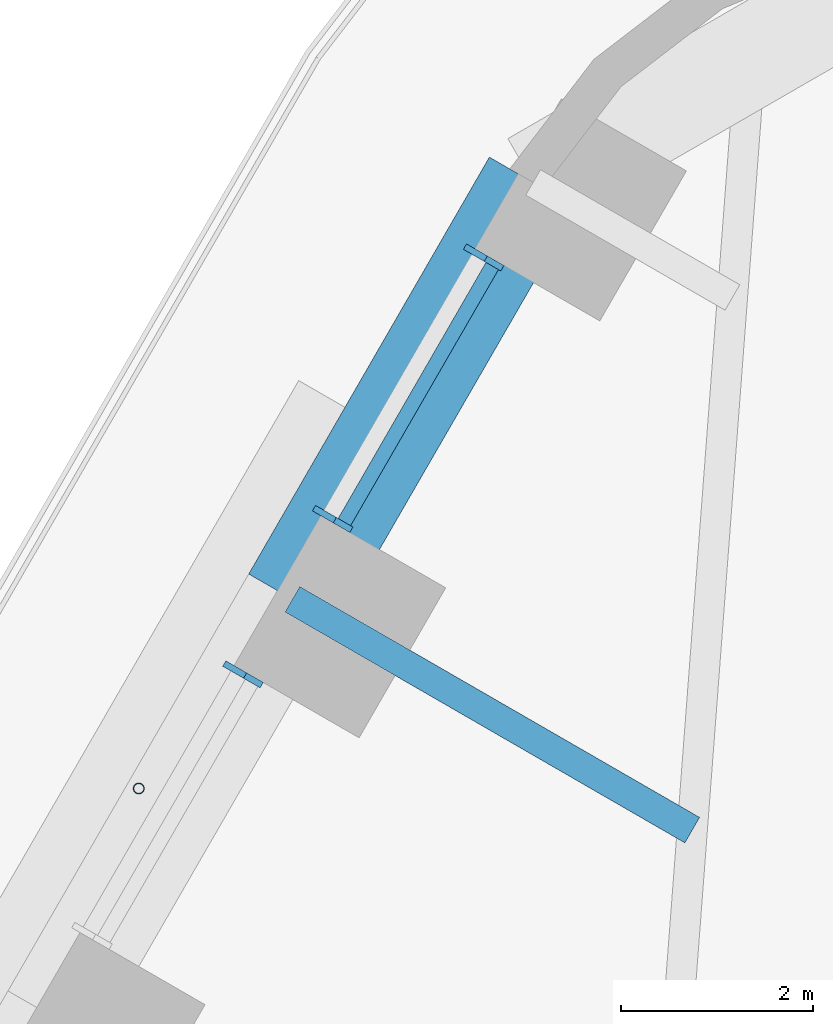
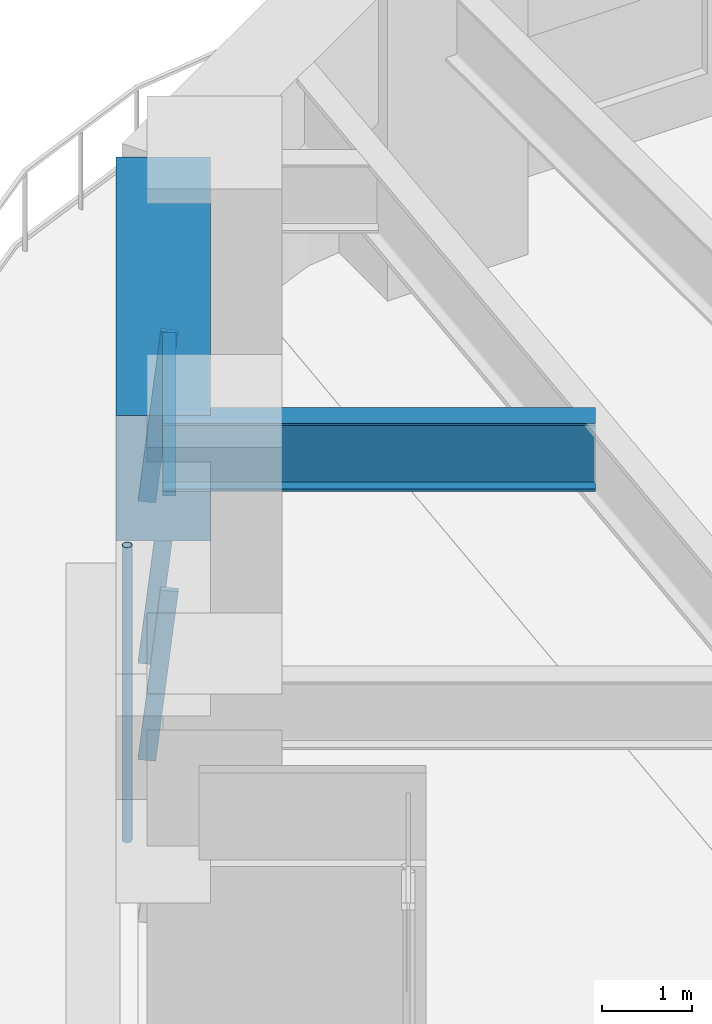
# One storey, part 9 of 24: 5 members, 2 beams, 2 elements without a shape of their own.
"""IFC4 building model written with IfcOpenShell, lengths in metres."""

from ifc_helpers import new_model, si_unit, direction, frame, origin, origin_2d, place, context, subcontext, project, spatial, rectangle, hollow_circle, i_section, extrude, material, material_profile, profile_set, type_object, element, aggregate, save


model = new_model("IFC4")

# Units and contexts
model_context = context("Model", 3, precision=1e-05, world=origin(), true_north=direction((0.0, 1.0)))
body_context = subcontext(model_context, "Body", "Model", "MODEL_VIEW")
ifc_project = project(units=[si_unit("LENGTHUNIT", "METRE"), si_unit("AREAUNIT", "SQUARE_METRE"), si_unit("VOLUMEUNIT", "CUBIC_METRE"), si_unit("PLANEANGLEUNIT", "RADIAN"), si_unit("MASSUNIT", "GRAM", prefix="KILO")], contexts=[model_context])

# Site, building, storey
site_placement = place(None, origin())
site = spatial("IfcSite", under=ifc_project, at=site_placement, CompositionType="ELEMENT")
building_placement = place(site_placement, origin())
building = spatial("IfcBuilding", under=site, at=building_placement, Name="Tarfa Lantern Tower", CompositionType="ELEMENT")
storey_placement = place(building_placement, frame((0.0, 0.0, 123.699951171875)))
storey = spatial("IfcBuildingStorey", under=building, at=storey_placement, Name="L27", CompositionType="ELEMENT", Elevation=123.699951171875)

# Curtain wall, members
ifc_material_1 = material(Name="Aluminium framed curtain wall", Category="aluminium")
curtain_wall_type = type_object("IfcCurtainWallType", Name="CW2 CANTED GLAZING MID ZONE 2300", PredefinedType="USERDEFINED", material=ifc_material_1)
curtain_wall_1_placement = place(storey_placement, origin())
curtain_wall_1 = element("IfcCurtainWall", 1, at=curtain_wall_1_placement, inside=storey, type_object=curtain_wall_type, Name="CW2 NW L27", ObjectType="CURTAIN WALL", PredefinedType="USERDEFINED")
ifc_material_2 = material(Name="Aluminium mullion", Category="aluminium")
ifc_material_profile_1 = material_profile(ifc_material_2, rectangle(XDim=0.06494140625, YDim=0.199951171875, at=origin_2d()), Name="AL MULLION 65x200")
ifc_profile_set_1 = profile_set([ifc_material_profile_1], Name="Aluminium mullion")
member_type_1 = type_object("IfcMemberType", Name="CWM1 MULLION 65x200", PredefinedType="MULLION", material=ifc_profile_set_1)
member_1_placement = place(storey_placement, frame((-20.15380859375, 27.892333984375, 0.0), z_axis=(0.093495303575, -0.054028888748, 0.994152657991), x_axis=(0.500342721131, 0.865827443207, 0.0)))
member_1 = element("IfcMember", 2, at=member_1_placement, type_object=member_type_1, Name="CW2 mullion 1", PredefinedType="MULLION", context=body_context, shape_type="SweptSolid", body=[
    extrude(rectangle(XDim=0.06494140625, YDim=0.199951171875, at=origin_2d()), origin(), (0.0, 0.0, 1.0), 2.3134765625),
])
member_2_placement = place(storey_placement, frame((-21.72314453125, 25.17431640625, 0.0), z_axis=(0.093495303575, -0.054028888748, 0.994152657991), x_axis=(0.500342721131, 0.865827443207, 0.0)))
member_2 = element("IfcMember", 3, at=member_2_placement, type_object=member_type_1, Name="CW2 mullion 2", PredefinedType="MULLION", context=body_context, shape_type="SweptSolid", body=[
    extrude(rectangle(XDim=0.06494140625, YDim=0.199951171875, at=origin_2d()), origin(), (0.0, 0.0, 1.0), 2.3134765625),
])

# Curtain wall, member
curtain_wall_2_placement = place(storey_placement, origin())
curtain_wall_2 = element("IfcCurtainWall", 4, at=curtain_wall_2_placement, inside=storey, type_object=curtain_wall_type, Name="CW2 NW L27", ObjectType="CURTAIN WALL", PredefinedType="USERDEFINED")
member_3_placement = place(storey_placement, frame((-22.65576171875, 23.55908203125, 0.0), z_axis=(0.093599904765, -0.0540283554, 0.994142844183), x_axis=(0.499919672301, 0.866071776036, 0.0)))
member_3 = element("IfcMember", 5, at=member_3_placement, type_object=member_type_1, Name="CW2 mullion 1", PredefinedType="MULLION", context=body_context, shape_type="SweptSolid", body=[
    extrude(rectangle(XDim=0.06494140625, YDim=0.199951171875, at=origin_2d()), origin(), (0.0, 0.0, 1.0), 2.313720703125),
])
aggregate(curtain_wall_2, [member_3])

# Member
ifc_material_3 = material(Name="Aluminium transom", Category="aluminium")
ifc_material_profile_2 = material_profile(ifc_material_3, rectangle(XDim=0.14990234375, YDim=0.06494140625, at=origin_2d()), Name="AL TRANSOM 150x65")
ifc_profile_set_2 = profile_set([ifc_material_profile_2], Name="Aluminium transom")
member_type_2 = type_object("IfcMemberType", Name="CWT1 TRANSOM 150x65", PredefinedType="USERDEFINED", material=ifc_profile_set_2)
member_4_placement = place(storey_placement, frame((-19.956787109375, 27.740966796875, 2.267578125), z_axis=(-0.500008936691, -0.866020244122, 0.0), x_axis=(0.866020244122, -0.500008936691, 0.0)))
member_4 = element("IfcMember", 6, at=member_4_placement, type_object=member_type_2, Name="CW2 transom 1.2", ObjectType="TRANSOM", PredefinedType="USERDEFINED", context=body_context, shape_type="SweptSolid", body=[
    extrude(rectangle(XDim=0.14990234375, YDim=0.06494140625, at=origin_2d()), origin(), (0.0, 0.0, 1.0), 3.07373046875),
])

aggregate(curtain_wall_1, [member_1, member_2, member_4])

# Beam
ifc_material_4 = material(Name="Concrete C80/95", Category="concrete")
ifc_material_profile_3 = material_profile(ifc_material_4, rectangle(XDim=1.050048828125, YDim=1.699951171875, at=origin_2d()), Name="RC 1050x1700")
ifc_profile_set_3 = profile_set([ifc_material_profile_3], Name="Concrete C80/95")
beam_type_1 = type_object("IfcBeamType", Name="RB2 RC 1050x1700", PredefinedType="BEAM", material=ifc_profile_set_3)
beam_1_placement = place(storey_placement, frame((-19.53173828125, 28.610107421875, 3.150146484375), z_axis=(-0.500001197378, -0.866024712477, 0.0), x_axis=(0.866024712477, -0.500001197378, 0.0)))
element("IfcBeam", 7, at=beam_1_placement, inside=storey, type_object=beam_type_1, Name="Edge beam NW0", PredefinedType="BEAM", context=body_context, shape_type="SweptSolid", body=[
    extrude(rectangle(XDim=1.050048828125, YDim=1.699951171875, at=origin_2d()), origin(), (0.0, 0.0, 1.0), 5.00390625),
])

# Member
ifc_material_5 = material(Name="Steel S355", Category="steel")
ifc_material_profile_4 = material_profile(ifc_material_5, hollow_circle(Radius=0.05712890625, WallThickness=0.00634765625, at=origin_2d()), Name="CHS114.3x6.3")
ifc_profile_set_4 = profile_set([ifc_material_profile_4], Name="Steel S355")
member_type_3 = type_object("IfcMemberType", Name="TR1 GREEN WALL TRELLIS CHS114.3x6.3", PredefinedType="USERDEFINED", material=ifc_profile_set_4)
member_5_placement = place(storey_placement, frame((-23.630859375, 22.31005859375, 0.0), z_axis=(0.0, 0.0, 1.0), x_axis=(1.0, 0.0, 0.0)))
element("IfcMember", 8, at=member_5_placement, inside=storey, type_object=member_type_3, Name="Trellis post NW 1", ObjectType="TRELLIS", PredefinedType="USERDEFINED", context=body_context, shape_type="SweptSolid", body=[
    extrude(hollow_circle(Radius=0.05712890625, WallThickness=0.00634765625, at=origin_2d()), origin(), (0.0, 0.0, 1.0), 4.0),
])

# Beam
ifc_material_6 = material(Name="Steel S460M", Category="steel")
ifc_material_profile_5 = material_profile(ifc_material_6, i_section(OverallWidth=0.305419921875, OverallDepth=0.91845703125, WebThickness=0.017333984375, FlangeThickness=0.02783203125, FilletRadius=0.01904296875, at=origin_2d()), Name="UB914x305x253")
ifc_profile_set_5 = profile_set([ifc_material_profile_5], Name="Steel S460M")
beam_type_2 = type_object("IfcBeamType", Name="UB914x305x253", PredefinedType="BEAM", material=ifc_profile_set_5)
beam_2_placement = place(storey_placement, frame((-22.03369140625, 24.276611328125, 3.540771484375), z_axis=(0.866030550462, -0.499991085587, 0.0), x_axis=(0.499991085587, 0.866030550462, 0.0)))
element("IfcBeam", 9, at=beam_2_placement, inside=storey, type_object=beam_type_2, Name="Floor beam NW1", PredefinedType="BEAM", context=body_context, shape_type="SweptSolid", body=[
    extrude(i_section(OverallWidth=0.305419921875, OverallDepth=0.91845703125, WebThickness=0.017333984375, FlangeThickness=0.02783203125, FilletRadius=0.01904296875, at=origin_2d()), origin(), (0.0, 0.0, 1.0), 4.798828125),
])

save(model, "model.ifc")
